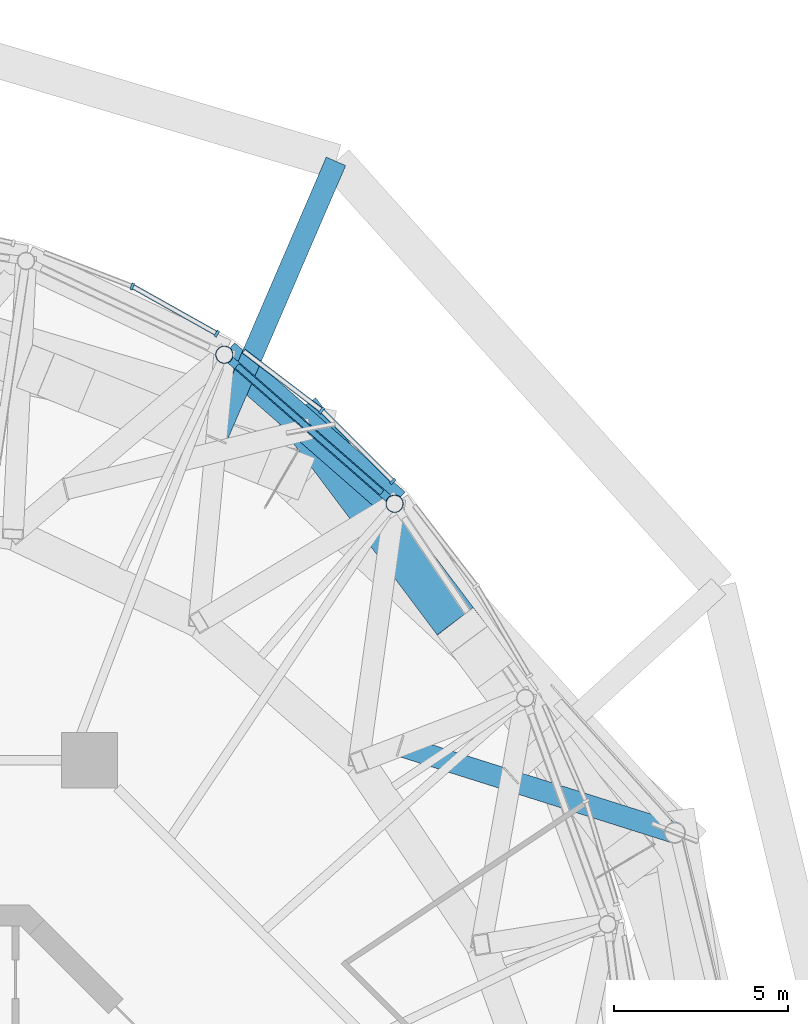
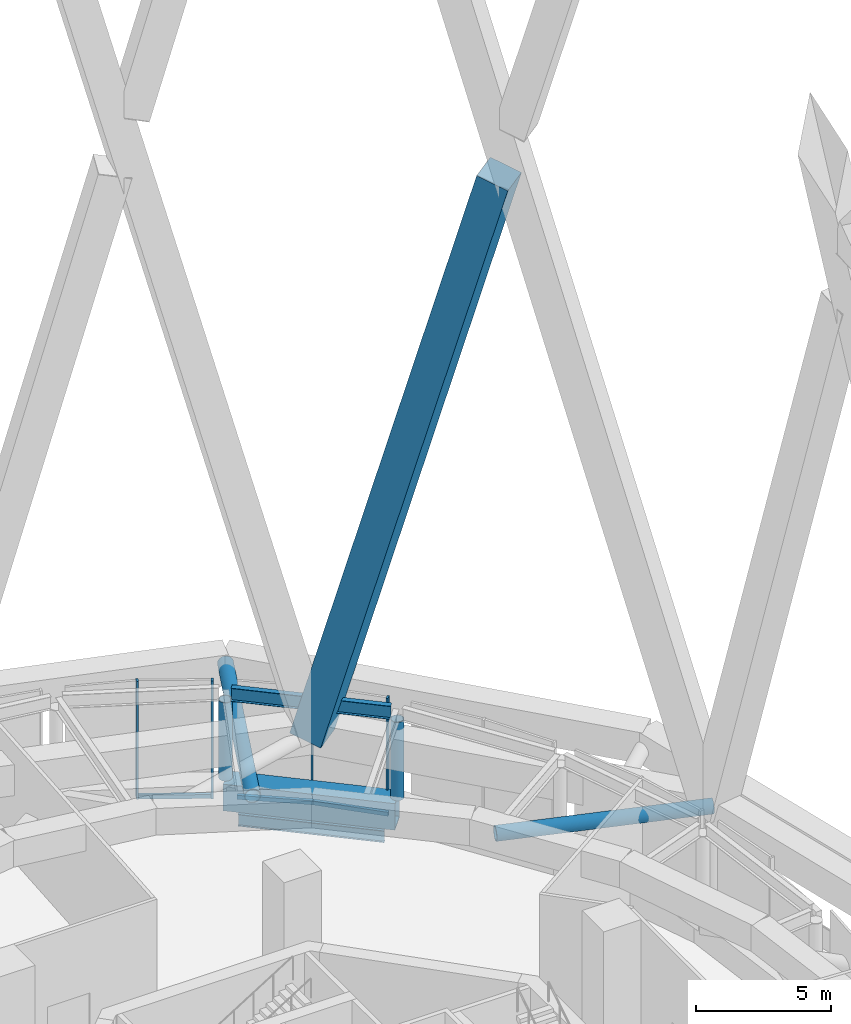
# One storey, part 32 of 48: 12 members, 3 beams, 4 elements without a shape of their own.
"""IFC4 building model written with IfcOpenShell, lengths in metres."""

from ifc_helpers import new_model, si_unit, direction, frame, origin, origin_2d, place, context, subcontext, project, spatial, rectangle, hollow_rectangle, hollow_circle, i_section, extrude, material, layer, layer_set, material_profile, profile_set, type_object, element, aggregate, save


model = new_model("IFC4")

# Units and contexts
model_context = context("Model", 3, precision=1e-05, world=origin(), true_north=direction((0.0, 1.0)))
body_context = subcontext(model_context, "Body", "Model", "MODEL_VIEW")
ifc_project = project(units=[si_unit("LENGTHUNIT", "METRE"), si_unit("AREAUNIT", "SQUARE_METRE"), si_unit("VOLUMEUNIT", "CUBIC_METRE"), si_unit("PLANEANGLEUNIT", "RADIAN"), si_unit("MASSUNIT", "GRAM", prefix="KILO")], contexts=[model_context])

# Site, building, storey
site_placement = place(None, origin())
site = spatial("IfcSite", under=ifc_project, at=site_placement, CompositionType="ELEMENT")
building_placement = place(site_placement, origin())
building = spatial("IfcBuilding", under=site, at=building_placement, Name="Nagisa Residences", CompositionType="ELEMENT")
storey_placement = place(building_placement, frame((0.0, 0.0, 252.89990234375)))
storey = spatial("IfcBuildingStorey", under=building, at=storey_placement, Name="L64", CompositionType="ELEMENT", Elevation=252.89990234375)

# Beam
ifc_material_1 = material(Name="Steel ASTM A572 Gr 50", Category="steel")
ifc_material_profile_1 = material_profile(ifc_material_1, hollow_rectangle(XDim=0.89990234375, YDim=1.199951171875, WallThickness=0.0400390625, at=origin_2d()), Name="BX 900x1200x40")
ifc_profile_set_1 = profile_set([ifc_material_profile_1], Name="Steel ASTM A572 Gr 50")
beam_type_1 = type_object("IfcBeamType", Name="Belt chord 5 BX 900x1200x40", PredefinedType="BEAM", material=ifc_profile_set_1)
beam_1_placement = place(storey_placement, frame((14.866455078125, 22.1318359375, 0.60009765625), z_axis=(-0.752422814139, 0.658680429923, 0.0), x_axis=(-0.658680429923, -0.752422814139, 0.0)))
element("IfcBeam", 1, at=beam_1_placement, inside=storey, type_object=beam_type_1, Name="beam:L64:bt5b04", PredefinedType="BEAM", context=body_context, shape_type="SweptSolid", body=[
    extrude(hollow_rectangle(XDim=0.89990234375, YDim=1.199951171875, WallThickness=0.0400390625, at=origin_2d()), origin(), (0.0, 0.0, 1.0), 6.487548828125),
])

# Curtain wall, member
ifc_material_2 = material(Name="Aluminium curtain wall system", Category="aluminium")
ifc_layer = layer(ifc_material_2, 0.159912109375)
ifc_layer_set = layer_set([ifc_layer], Name="CW2 CURTAIN WALL")
curtain_wall_type = type_object("IfcCurtainWallType", Name="CW2 CURTAIN WALL", PredefinedType="NOTDEFINED", material=ifc_layer_set)
curtain_wall_1_placement = place(storey_placement, origin())
curtain_wall_1 = element("IfcCurtainWall", 2, at=curtain_wall_1_placement, inside=storey, type_object=curtain_wall_type, Name="cw:CW2:L64:06", PredefinedType="NOTDEFINED")
ifc_material_3 = material(Name="Aluminium", Category="aluminium")
ifc_material_profile_2 = material_profile(ifc_material_3, rectangle(XDim=0.199951171875, YDim=0.080078125, at=origin_2d()), Name="CW2 MULLION 200x80")
ifc_profile_set_2 = profile_set([ifc_material_profile_2], Name="Aluminium")
member_type_1 = type_object("IfcMemberType", Name="CW2 MULLION 200x80", PredefinedType="MULLION", material=ifc_profile_set_2)
member_1_placement = place(storey_placement, frame((14.816650390625, 22.77490234375, 0.0), z_axis=(0.0, 0.0, 1.0), x_axis=(-0.706376885714, -0.707835924016, 0.0)))
member_1 = element("IfcMember", 3, at=member_1_placement, type_object=member_type_1, Name="CW2 mullion", PredefinedType="MULLION", context=body_context, shape_type="SweptSolid", body=[
    extrude(rectangle(XDim=0.199951171875, YDim=0.080078125, at=origin_2d()), origin(), (0.0, 0.0, 1.0), 5.340087890625),
])

curtain_wall_2_placement = place(storey_placement, origin())
curtain_wall_2 = element("IfcCurtainWall", 4, at=curtain_wall_2_placement, inside=storey, type_object=curtain_wall_type, Name="cw:CW2:L64:07", PredefinedType="NOTDEFINED")
member_2_placement = place(storey_placement, frame((12.772705078125, 24.80810546875, 0.0), z_axis=(0.0, 0.0, 1.0), x_axis=(-0.605255421737, -0.79603132756, 0.0)))
member_2 = element("IfcMember", 5, at=member_2_placement, type_object=member_type_1, Name="CW2 mullion", PredefinedType="MULLION", context=body_context, shape_type="SweptSolid", body=[
    extrude(rectangle(XDim=0.199951171875, YDim=0.080078125, at=origin_2d()), origin(), (0.0, 0.0, 1.0), 5.340087890625),
])

curtain_wall_3_placement = place(storey_placement, origin())
curtain_wall_3 = element("IfcCurtainWall", 6, at=curtain_wall_3_placement, inside=storey, type_object=curtain_wall_type, Name="cw:CW2:L64:08", PredefinedType="NOTDEFINED")
member_3_placement = place(storey_placement, frame((9.7685546875, 27.008056640625, 0.0), z_axis=(0.0, 0.0, 1.0), x_axis=(-0.489376918501, -0.872072377523, 0.0)))
member_3 = element("IfcMember", 7, at=member_3_placement, type_object=member_type_1, Name="CW2 mullion", PredefinedType="MULLION", context=body_context, shape_type="SweptSolid", body=[
    extrude(rectangle(XDim=0.199951171875, YDim=0.080078125, at=origin_2d()), origin(), (0.0, 0.0, 1.0), 5.340087890625),
])

curtain_wall_4_placement = place(storey_placement, origin())
curtain_wall_4 = element("IfcCurtainWall", 8, at=curtain_wall_4_placement, inside=storey, type_object=curtain_wall_type, Name="cw:CW2:L64:09", PredefinedType="NOTDEFINED")
member_4_placement = place(storey_placement, frame((7.344970703125, 28.362548828125, 0.0), z_axis=(0.0, 0.0, 1.0), x_axis=(-0.360327770268, -0.932825759707, 0.0)))
member_4 = element("IfcMember", 9, at=member_4_placement, type_object=member_type_1, Name="CW2 mullion", PredefinedType="MULLION", context=body_context, shape_type="SweptSolid", body=[
    extrude(rectangle(XDim=0.199951171875, YDim=0.080078125, at=origin_2d()), origin(), (0.0, 0.0, 1.0), 5.340087890625),
])
aggregate(curtain_wall_4, [member_4])

# Member
ifc_material_4 = material(Name="Aluminium", Category="aluminium")
ifc_material_profile_3 = material_profile(ifc_material_4, rectangle(XDim=0.139892578125, YDim=0.179931640625, at=origin_2d()), Name="CW2 TRANSOM 140x180")
ifc_profile_set_3 = profile_set([ifc_material_profile_3], Name="Aluminium")
member_type_2 = type_object("IfcMemberType", Name="CW2 TRANSOM 140x180", PredefinedType="USERDEFINED", material=ifc_profile_set_3)
member_5_placement = place(storey_placement, frame((14.844970703125, 22.74658203125, 0.090087890625), z_axis=(-0.707823435791, 0.706389399513, 0.0), x_axis=(-0.706389399513, -0.707823435791, 0.0)))
member_5 = element("IfcMember", 10, at=member_5_placement, type_object=member_type_2, Name="CW2 transom", ObjectType="TRANSOM", PredefinedType="USERDEFINED", context=body_context, shape_type="SweptSolid", body=[
    extrude(rectangle(XDim=0.139892578125, YDim=0.179931640625, at=origin_2d()), origin(), (0.0, 0.0, 1.0), 2.894287109375),
])

aggregate(curtain_wall_1, [member_1, member_5])

member_6_placement = place(storey_placement, frame((12.804443359375, 24.783935546875, 0.090087890625), z_axis=(-0.796019652115, 0.605270776964, 0.0), x_axis=(-0.605270776964, -0.796019652115, 0.0)))
member_6 = element("IfcMember", 11, at=member_6_placement, type_object=member_type_2, Name="CW2 transom", ObjectType="TRANSOM", PredefinedType="USERDEFINED", context=body_context, shape_type="SweptSolid", body=[
    extrude(rectangle(XDim=0.139892578125, YDim=0.179931640625, at=origin_2d()), origin(), (0.0, 0.0, 1.0), 2.8388671875),
])

aggregate(curtain_wall_2, [member_2, member_6])

member_7_placement = place(storey_placement, frame((9.803466796875, 26.988525390625, 0.090087890625), z_axis=(-0.872059187854, 0.489400421821, 0.0), x_axis=(-0.489400421821, -0.872059187854, 0.0)))
member_7 = element("IfcMember", 12, at=member_7_placement, type_object=member_type_2, Name="CW2 transom", ObjectType="TRANSOM", PredefinedType="USERDEFINED", context=body_context, shape_type="SweptSolid", body=[
    extrude(rectangle(XDim=0.139892578125, YDim=0.179931640625, at=origin_2d()), origin(), (0.0, 0.0, 1.0), 2.7880859375),
])

aggregate(curtain_wall_3, [member_3, member_7])

# Members
ifc_material_5 = material(Name="Concrete C80", Category="concrete")
ifc_material_profile_4 = material_profile(ifc_material_5, rectangle(XDim=1.300048828125, YDim=1.300048828125, at=origin_2d()), Name="C80 1300x1300")
ifc_profile_set_4 = profile_set([ifc_material_profile_4], Name="Concrete C80")
member_type_3 = type_object("IfcMemberType", Name="Cage diagonal 6 C80 1300x1300", PredefinedType="BRACE", material=ifc_profile_set_4)
member_8_placement = place(storey_placement, frame((12.4599609375, 24.283447265625, 3.7001953125), z_axis=(0.159953241642, -0.212908283093, 0.963890566132), x_axis=(0.799509403417, 0.600653572243, 0.0)))
element("IfcMember", 13, at=member_8_placement, inside=storey, type_object=member_type_3, Name="mem:L64:cg6d004a", PredefinedType="BRACE", context=body_context, shape_type="SweptSolid", body=[
    extrude(rectangle(XDim=1.300048828125, YDim=1.300048828125, at=origin_2d()), origin(), (0.0, 0.0, 1.0), 28.2705078125),
])
ifc_material_6 = material(Name="Steel ASTM A572 Gr 65", Category="steel")
ifc_material_profile_5 = material_profile(ifc_material_6, hollow_circle(Radius=0.304931640625, WallThickness=0.02490234375, at=origin_2d()), Name="CHS 610x25")
ifc_profile_set_5 = profile_set([ifc_material_profile_5], Name="Steel ASTM A572 Gr 65")
member_type_4 = type_object("IfcMemberType", Name="Cage strut CHS 610x25", PredefinedType="STRUT", material=ifc_profile_set_5)
member_9_placement = place(storey_placement, frame((13.18505859375, 31.94775390625, 1.900146484375), z_axis=(-0.395960563146, -0.918267516812, 0.0), x_axis=(0.918267516812, -0.395960563146, 0.0)))
element("IfcMember", 14, at=member_9_placement, inside=storey, type_object=member_type_4, Name="mem:L64:bt5st5a03", PredefinedType="STRUT", context=body_context, shape_type="SweptSolid", body=[
    extrude(hollow_circle(Radius=0.304931640625, WallThickness=0.02490234375, at=origin_2d()), origin(), (0.0, 0.0, 1.0), 8.65673828125),
])
member_10_placement = place(storey_placement, frame((22.89892578125, 12.702392578125, 3.7001953125), z_axis=(-0.953374752014, 0.301788969682, 0.0), x_axis=(-0.301788969682, -0.953374752014, 0.0)))
element("IfcMember", 15, at=member_10_placement, inside=storey, type_object=member_type_4, Name="mem:L64:bt5st6b02", PredefinedType="STRUT", context=body_context, shape_type="SweptSolid", body=[
    extrude(hollow_circle(Radius=0.304931640625, WallThickness=0.02490234375, at=origin_2d()), origin(), (0.0, 0.0, 1.0), 8.243408203125),
])

# Beam
ifc_material_7 = material(Name="Steel ASTM A572 Gr 50", Category="steel")
ifc_material_profile_6 = material_profile(ifc_material_7, i_section(OverallWidth=0.22802734375, OverallDepth=0.60302734375, WebThickness=0.010498046875, FlangeThickness=0.014892578125, at=origin_2d()), Name="W610x101")
ifc_profile_set_6 = profile_set([ifc_material_profile_6], Name="Steel ASTM A572 Gr 50")
beam_type_2 = type_object("IfcBeamType", Name="Garden edge beam W610x101", PredefinedType="BEAM", material=ifc_profile_set_6)
beam_2_placement = place(storey_placement, frame((14.6904296875, 22.285888671875, 5.03857421875), z_axis=(-0.752415879401, 0.658688351518, 0.0), x_axis=(-0.658688351518, -0.752415879401, 0.0)))
element("IfcBeam", 16, at=beam_2_placement, inside=storey, type_object=beam_type_2, Name="beam:L64:bt5ge04", PredefinedType="BEAM", context=body_context, shape_type="SweptSolid", body=[
    extrude(i_section(OverallWidth=0.22802734375, OverallDepth=0.60302734375, WebThickness=0.010498046875, FlangeThickness=0.014892578125, at=origin_2d()), origin(), (0.0, 0.0, 1.0), 6.019775390625),
])

# Members
ifc_material_8 = material(Name="Steel ASTM A572 Gr 65", Category="steel")
ifc_material_profile_7 = material_profile(ifc_material_8, hollow_circle(Radius=0.25390625, WallThickness=0.02001953125, at=origin_2d()), Name="CHS 508x20")
ifc_profile_set_7 = profile_set([ifc_material_profile_7], Name="Steel ASTM A572 Gr 65")
member_type_5 = type_object("IfcMemberType", Name="Garden edge post CHS 508x20", PredefinedType="POST", material=ifc_profile_set_7)
for number, where, z_axis, x_axis, name in (
    (17, (14.866455078125, 22.1318359375, 1.2001953125), (0.0, 0.0, 1.0), (1.0, 0.0, 0.0), "mem:L64:gp504"),
    (18, (9.985107421875, 26.405029296875, 1.2001953125), (0.0, 0.0, 1.0), (1.0, 0.0, 0.0), "mem:L64:gp505"),
):
    element("IfcMember", number, at=place(storey_placement, frame(where, z_axis=z_axis, x_axis=x_axis)), inside=storey, type_object=member_type_5, Name=name, PredefinedType="POST", context=body_context, shape_type="SweptSolid", body=[
        extrude(hollow_circle(Radius=0.25390625, WallThickness=0.02001953125, at=origin_2d()), origin(), (0.0, 0.0, 1.0), 3.536865234375),
    ])

# Beam
ifc_material_9 = material(Name="Steel ASTM A572 Gr 50", Category="steel")
ifc_material_profile_8 = material_profile(ifc_material_9, i_section(OverallWidth=0.166015625, OverallDepth=0.534912109375, WebThickness=0.01025390625, FlangeThickness=0.0166015625, at=origin_2d()), Name="W530x85")
ifc_profile_set_8 = profile_set([ifc_material_profile_8], Name="Steel ASTM A572 Gr 50")
beam_type_3 = type_object("IfcBeamType", Name="Perimeter ring beam W530x85", PredefinedType="BEAM", material=ifc_profile_set_8)
beam_3_placement = place(storey_placement, frame((14.502197265625, 22.45068359375, -0.617431640625), z_axis=(-0.75242320672, 0.65867998147, 0.0), x_axis=(-0.65867998147, -0.75242320672, 0.0)))
element("IfcBeam", 19, at=beam_3_placement, inside=storey, type_object=beam_type_3, Name="beam:L64:pb04", PredefinedType="BEAM", context=body_context, shape_type="SweptSolid", body=[
    extrude(i_section(OverallWidth=0.166015625, OverallDepth=0.534912109375, WebThickness=0.01025390625, FlangeThickness=0.0166015625, at=origin_2d()), origin(), (0.0, 0.0, 1.0), 5.5185546875),
])

save(model, "model.ifc")
